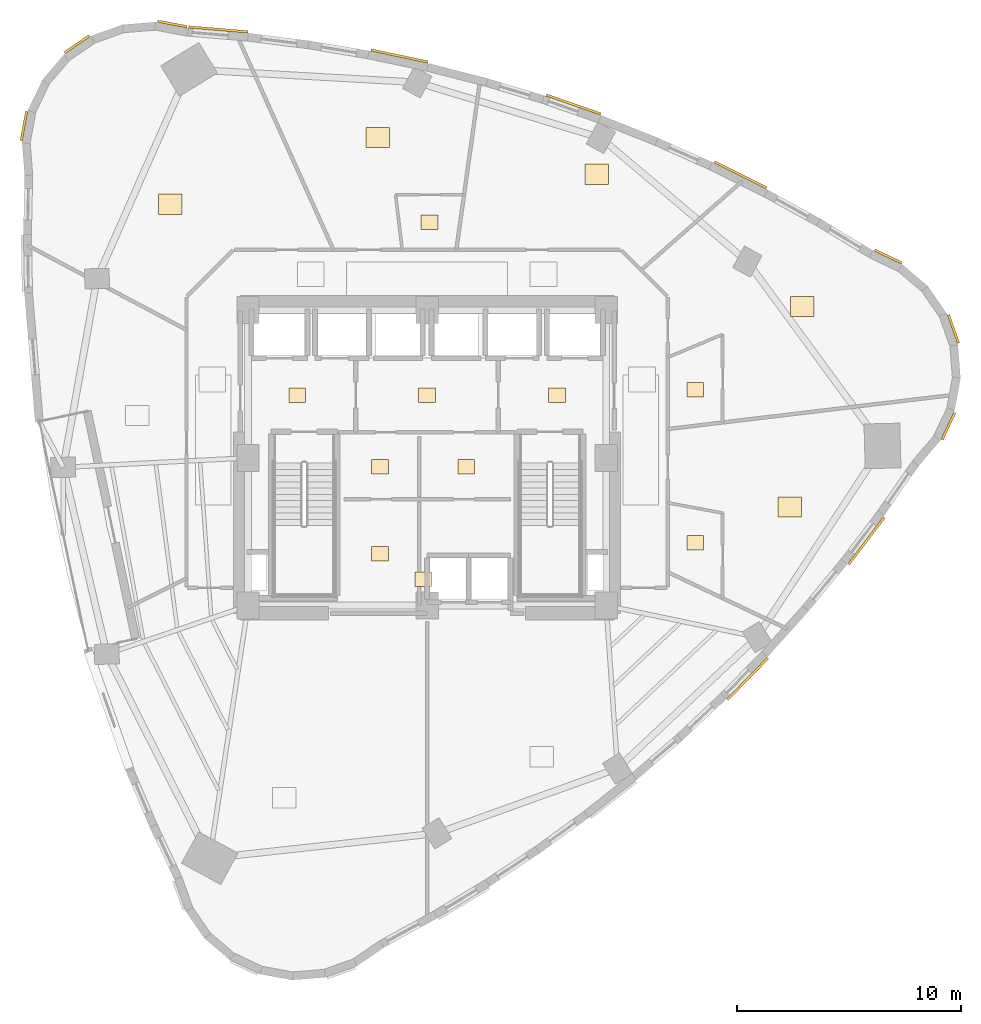
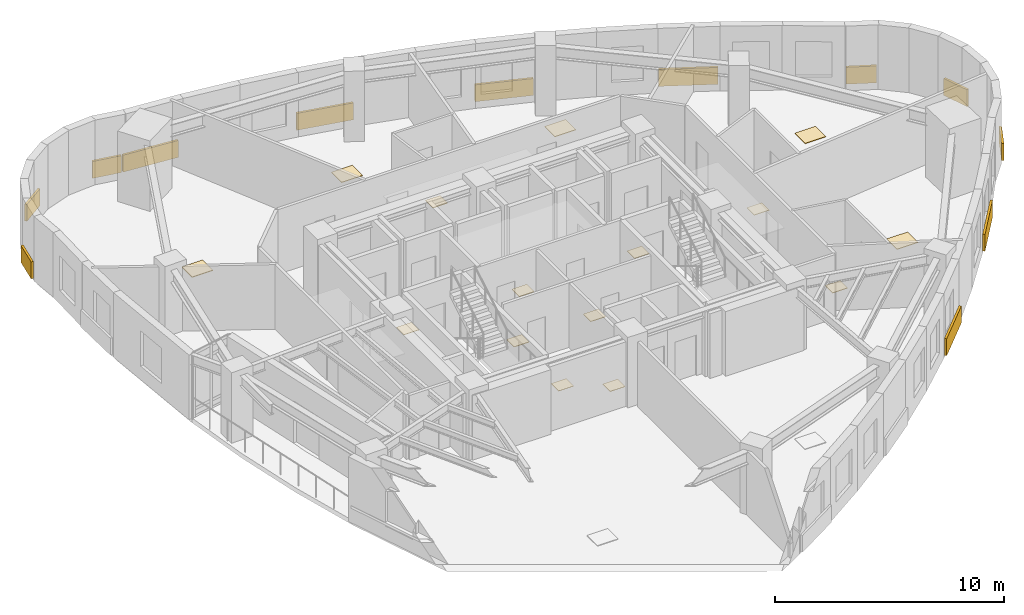
# One storey, part 12 of 12: 27 coverings.
"""IFC4 building model written with IfcOpenShell, lengths in metres."""

from ifc_helpers import new_model, si_unit, direction, frame, origin, origin_2d, place, context, subcontext, project, spatial, rectangle, extrude, material, layer, layer_set, type_object, element, save


model = new_model("IFC4")

# Units and contexts
model_context = context("Model", 3, precision=1e-05, world=origin(), true_north=direction((0.0, 1.0)))
body_context = subcontext(model_context, "Body", "Model", "MODEL_VIEW")
ifc_project = project(units=[si_unit("LENGTHUNIT", "METRE"), si_unit("AREAUNIT", "SQUARE_METRE"), si_unit("VOLUMEUNIT", "CUBIC_METRE"), si_unit("PLANEANGLEUNIT", "RADIAN"), si_unit("MASSUNIT", "GRAM", prefix="KILO")], contexts=[model_context])

# Site, building, storey
site_placement = place(None, origin())
site = spatial("IfcSite", under=ifc_project, at=site_placement, CompositionType="ELEMENT")
building_placement = place(site_placement, origin())
building = spatial("IfcBuilding", under=site, at=building_placement, Name="Ndelora Gate Hotel", CompositionType="ELEMENT")
storey_placement = place(building_placement, frame((0.0, 0.0, 164.75)))
storey = spatial("IfcBuildingStorey", under=building, at=storey_placement, Name="L41", CompositionType="ELEMENT", Elevation=164.75)

# Coverings
ifc_material_1 = material(Name="Terracotta Fired Clay Brick Slip Cladding", Category="masonry")
ifc_layer_1 = layer(ifc_material_1, 0.110107421875)
ifc_layer_set_1 = layer_set([ifc_layer_1], Name="Terracotta Fired Clay Brick Slip Cladding")
covering_type_1 = type_object("IfcCoveringType", Name="COV-CLAD-BRK", PredefinedType="CLADDING", material=ifc_layer_set_1)
for number, where, z_axis, x_axis, name in (
    (1, (-11.3828125, 19.38427734375, 0.10009765625), (0.0, 0.0, 1.0), (-0.983254907564, 0.182235525492, 0.0), "L41 Rounded-Corner Brick Cladding Band 1"),
    (2, (-15.64013671875, 18.479248046875, 0.10009765625), (0.0, 0.0, 1.0), (0.824126188622, 0.566406236925, 0.0), "L41 Rounded-Corner Brick Cladding Band 4"),
    (3, (-18.010498046875, 14.8291015625, 0.10009765625), (0.0, 0.0, 1.0), (0.182235525492, 0.983254907564, 0.0), "L41 Rounded-Corner Brick Cladding Band 7"),
):
    element("IfcCovering", number, at=place(storey_placement, frame(where, z_axis=z_axis, x_axis=x_axis)), inside=storey, type_object=covering_type_1, Name=name, PredefinedType="CLADDING", context=body_context, shape_type="SweptSolid", body=[
        extrude(rectangle(XDim=1.3359375, YDim=0.110107421875, at=origin_2d()), origin(), (0.0, 0.0, 1.0), 0.89990234375),
    ])
covering_1_placement = place(storey_placement, frame((14.319580078125, -9.875732421875, 0.10009765625), z_axis=(0.0, 0.0, 1.0), x_axis=(0.699039579147, 0.715082978952, 0.0)))
element("IfcCovering", 4, at=covering_1_placement, inside=storey, type_object=covering_type_1, Name="L41 Rounded-Corner Brick Cladding Band 34", PredefinedType="CLADDING", context=body_context, shape_type="SweptSolid", body=[
    extrude(rectangle(XDim=2.583984375, YDim=0.110107421875, at=origin_2d()), origin(), (0.0, 0.0, 1.0), 0.89990234375),
])
covering_2_placement = place(storey_placement, frame((19.62548828125, -3.71435546875, 0.10009765625), z_axis=(0.0, 0.0, 1.0), x_axis=(0.604181969914, 0.796846376179, 0.0)))
element("IfcCovering", 5, at=covering_2_placement, inside=storey, type_object=covering_type_1, Name="L41 Rounded-Corner Brick Cladding Band 37", PredefinedType="CLADDING", context=body_context, shape_type="SweptSolid", body=[
    extrude(rectangle(XDim=2.626953125, YDim=0.110107421875, at=origin_2d()), origin(), (0.0, 0.0, 1.0), 0.89990234375),
])
for number, where, z_axis, x_axis, name in (
    (6, (23.287109375, 1.410888671875, 0.10009765625), (0.0, 0.0, 1.0), (0.430511096808, 0.90258528435, 0.0), "L41 Rounded-Corner Brick Cladding Band 40"),
    (7, (23.51513671875, 5.757080078125, 0.10009765625), (0.0, 0.0, 1.0), (-0.333806859234, 0.942641491092, 0.0), "L41 Rounded-Corner Brick Cladding Band 43"),
    (8, (20.602783203125, 8.991455078125, 0.10009765625), (0.0, 0.0, 1.0), (-0.90258528435, 0.430511096808, 0.0), "L41 Rounded-Corner Brick Cladding Band 46"),
):
    element("IfcCovering", number, at=place(storey_placement, frame(where, z_axis=z_axis, x_axis=x_axis)), inside=storey, type_object=covering_type_1, Name=name, PredefinedType="CLADDING", context=body_context, shape_type="SweptSolid", body=[
        extrude(rectangle(XDim=1.3359375, YDim=0.110107421875, at=origin_2d()), origin(), (0.0, 0.0, 1.0), 0.89990234375),
    ])
covering_3_placement = place(storey_placement, frame((14.002197265625, 12.64111328125, 0.10009765625), z_axis=(0.0, 0.0, 1.0), x_axis=(-0.895245648325, 0.445572922377, 0.0)))
element("IfcCovering", 9, at=covering_3_placement, inside=storey, type_object=covering_type_1, Name="L41 Rounded-Corner Brick Cladding Band 49", PredefinedType="CLADDING", context=body_context, shape_type="SweptSolid", body=[
    extrude(rectangle(XDim=2.60791015625, YDim=0.110107421875, at=origin_2d()), origin(), (0.0, 0.0, 1.0), 0.89990234375),
])
covering_4_placement = place(storey_placement, frame((6.542724609375, 15.785888671875, 0.10009765625), z_axis=(0.0, 0.0, 1.0), x_axis=(-0.944261516589, 0.329196276237, 0.0)))
element("IfcCovering", 10, at=covering_4_placement, inside=storey, type_object=covering_type_1, Name="L41 Rounded-Corner Brick Cladding Band 52", PredefinedType="CLADDING", context=body_context, shape_type="SweptSolid", body=[
    extrude(rectangle(XDim=2.580078125, YDim=0.110107421875, at=origin_2d()), origin(), (0.0, 0.0, 1.0), 0.89990234375),
])
covering_5_placement = place(storey_placement, frame((-1.23486328125, 17.952392578125, 0.10009765625), z_axis=(0.0, 0.0, 1.0), x_axis=(-0.978400882716, 0.206716503214, 0.0)))
element("IfcCovering", 11, at=covering_5_placement, inside=storey, type_object=covering_type_1, Name="L41 Rounded-Corner Brick Cladding Band 55", PredefinedType="CLADDING", context=body_context, shape_type="SweptSolid", body=[
    extrude(rectangle(XDim=2.593994140625, YDim=0.110107421875, at=origin_2d()), origin(), (0.0, 0.0, 1.0), 0.89990234375),
])
covering_6_placement = place(storey_placement, frame((-9.329345703125, 19.140380859375, 0.10009765625), z_axis=(0.0, 0.0, 1.0), x_axis=(-0.99643419826, 0.084373506139, 0.0)))
element("IfcCovering", 12, at=covering_6_placement, inside=storey, type_object=covering_type_1, Name="L41 Rounded-Corner Brick Cladding Band 58", PredefinedType="CLADDING", context=body_context, shape_type="SweptSolid", body=[
    extrude(rectangle(XDim=2.65087890625, YDim=0.110107421875, at=origin_2d()), origin(), (0.0, 0.0, 1.0), 0.89990234375),
])
ifc_material_2 = material(Name="Engineered Highland Oak Parquet", Category="wood")
ifc_layer_2 = layer(ifc_material_2, 0.030029296875)
ifc_layer_set_2 = layer_set([ifc_layer_2], Name="Engineered Highland Oak Parquet")
covering_type_2 = type_object("IfcCoveringType", Name="COV-FLR-PARQ", PredefinedType="FLOORING", material=ifc_layer_set_2)
for number, where, z_axis, x_axis, name in (
    (13, (16.206787109375, -2.198974609375, 0.0), (0.0, 0.0, 1.0), (1.0, 0.0, 0.0), "L41 Corner Diplomatic Suite 4401 Oak Parquet Flooring"),
    (14, (16.756591796875, 6.768798828125, 0.0), (0.0, 0.0, 1.0), (1.0, 0.0, 0.0), "L41 Presidential Club Suite 4402 Oak Parquet Flooring"),
    (15, (7.575927734375, 12.668701171875, 0.0), (0.0, 0.0, 1.0), (1.0, 0.0, 0.0), "L41 Boardroom Conference Room Oak Parquet Flooring"),
    (16, (-2.212890625, 14.30517578125, 0.0), (0.0, 0.0, 1.0), (1.0, 0.0, 0.0), "L41 Corner Junior Suite 4403 Oak Parquet Flooring"),
    (17, (-11.464599609375, 11.32861328125, 0.0), (0.0, 0.0, 1.0), (1.0, 0.0, 0.0), "L41 Executive Study Office Oak Parquet Flooring"),
):
    element("IfcCovering", number, at=place(storey_placement, frame(where, z_axis=z_axis, x_axis=x_axis)), inside=storey, type_object=covering_type_2, Name=name, PredefinedType="FLOORING", context=body_context, shape_type="SweptSolid", body=[
        extrude(rectangle(XDim=1.050048828125, YDim=0.89990234375, at=origin_2d()), origin(), (0.0, 0.0, 1.0), 0.030029296875),
    ])
ifc_material_3 = material(Name="Non-Slip Porcelain Wet-Room Tile", Category="ceramic")
ifc_layer_3 = layer(ifc_material_3, 0.02490234375)
ifc_layer_set_3 = layer_set([ifc_layer_3], Name="Non-Slip Porcelain Wet-Room Tile")
covering_type_3 = type_object("IfcCoveringType", Name="COV-FLR-TILE", PredefinedType="FLOORING", material=ifc_layer_set_3)
for number, where, z_axis, x_axis, name in (
    (18, (-5.800048828125, 2.800048828125, 0.0), (0.0, 0.0, 1.0), (1.0, 0.0, 0.0), "L41 Firefighting Lift Lobby West Porcelain Tile Flooring"),
    (19, (5.800048828125, 2.800048828125, 0.0), (0.0, 0.0, 1.0), (1.0, 0.0, 0.0), "L41 Firefighting Lift Lobby East Porcelain Tile Flooring"),
    (20, (0.0, 2.800048828125, 0.0), (0.0, 0.0, 1.0), (1.0, 0.0, 0.0), "L41 Central Passenger Lift Lobby Porcelain Tile Flooring"),
    (21, (-2.10009765625, -0.39990234375, 0.0), (0.0, 0.0, 1.0), (1.0, 0.0, 0.0), "L41 Core Electrical Closet Porcelain Tile Flooring"),
    (22, (1.75, -0.39990234375, 0.0), (0.0, 0.0, 1.0), (1.0, 0.0, 0.0), "L41 Comms Patching Store Porcelain Tile Flooring"),
    (23, (-2.10009765625, -4.27490234375, 0.0), (0.0, 0.0, 1.0), (1.0, 0.0, 0.0), "L41 Valet Laundry Store Porcelain Tile Flooring"),
    (24, (-0.175048828125, -5.429931640625, 0.0), (0.0, 0.0, 1.0), (1.0, 0.0, 0.0), "L41 Housekeeping Reserve Store Porcelain Tile Flooring"),
    (25, (11.97509765625, -3.788818359375, 0.0), (0.0, 0.0, 1.0), (1.0, 0.0, 0.0), "L41 En-suite Bathroom 4401 Porcelain Tile Flooring"),
    (26, (11.97509765625, 3.0390625, 0.0), (0.0, 0.0, 1.0), (1.0, 0.0, 0.0), "L41 En-suite Bathroom 4402 Porcelain Tile Flooring"),
    (27, (0.108642578125, 10.52490234375, 0.0), (0.0, 0.0, 1.0), (1.0, 0.0, 0.0), "L41 En-suite Bathroom 4403 Porcelain Tile Flooring"),
):
    element("IfcCovering", number, at=place(storey_placement, frame(where, z_axis=z_axis, x_axis=x_axis)), inside=storey, type_object=covering_type_3, Name=name, PredefinedType="FLOORING", context=body_context, shape_type="SweptSolid", body=[
        extrude(rectangle(XDim=0.75, YDim=0.64990234375, at=origin_2d()), origin(), (0.0, 0.0, 1.0), 0.02490234375),
    ])

save(model, "model.ifc")
